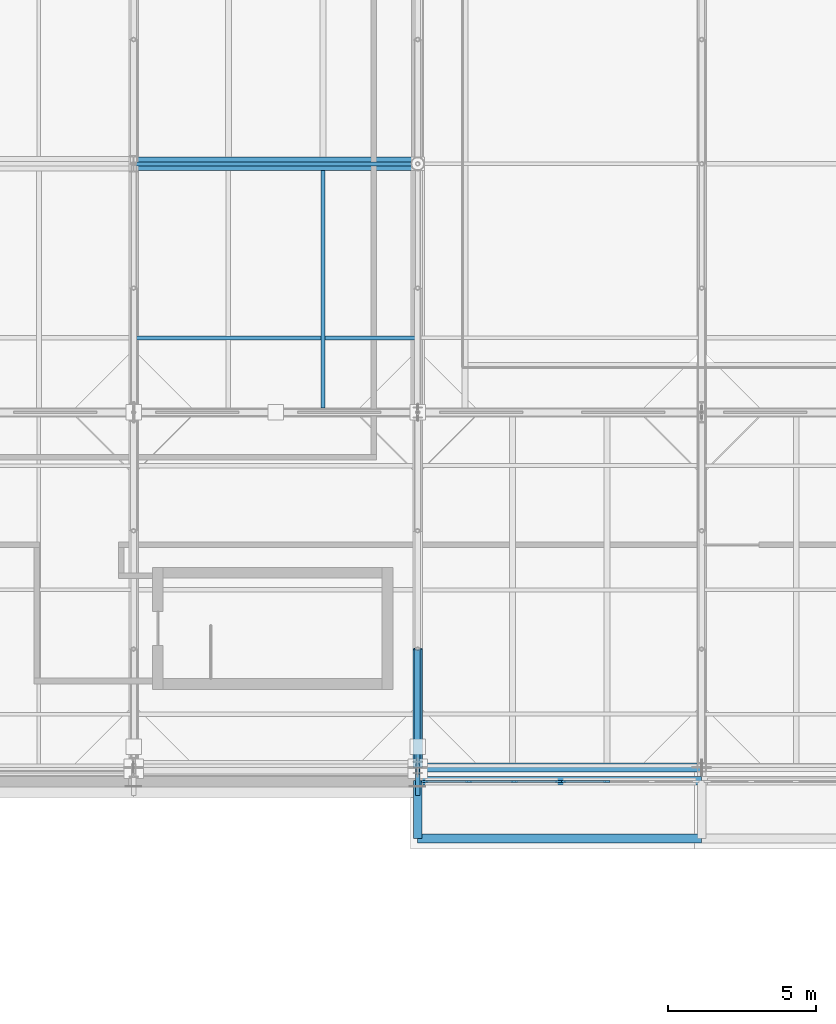
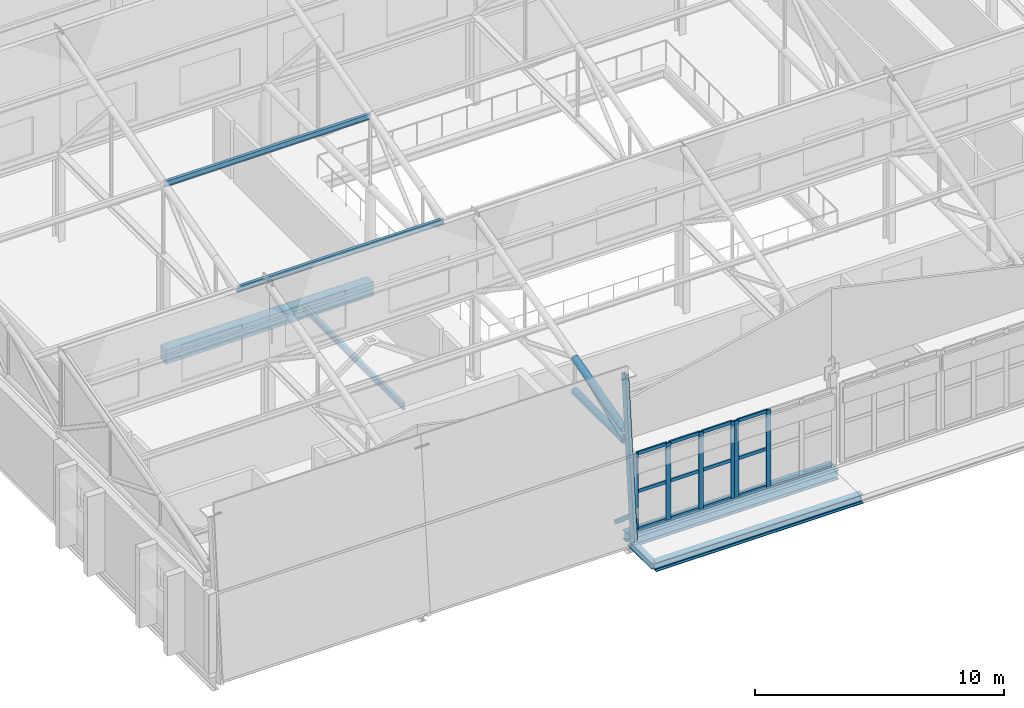
# One storey, part 20 of 89: 25 members, 6 beams, 2 elements without a shape of their own.
"""IFC4 building model written with IfcOpenShell, lengths in metres."""

from ifc_helpers import new_model, si_unit, direction, frame, origin, origin_2d, place, context, subcontext, project, spatial, rectangle, hollow_rectangle, hollow_circle, i_section, extrude, material, layer, layer_set, material_profile, profile_set, type_object, element, aggregate, save


model = new_model("IFC4")

# Units and contexts
model_context = context("Model", 3, precision=1e-05, world=origin(), true_north=direction((0.0, 1.0)))
body_context = subcontext(model_context, "Body", "Model", "MODEL_VIEW")
ifc_project = project(units=[si_unit("LENGTHUNIT", "METRE"), si_unit("AREAUNIT", "SQUARE_METRE"), si_unit("VOLUMEUNIT", "CUBIC_METRE"), si_unit("PLANEANGLEUNIT", "RADIAN"), si_unit("MASSUNIT", "GRAM", prefix="KILO")], contexts=[model_context])

# Site, building, storey
site_placement = place(None, origin())
site = spatial("IfcSite", under=ifc_project, at=site_placement, CompositionType="ELEMENT")
building_placement = place(site_placement, origin())
building = spatial("IfcBuilding", under=site, at=building_placement, Name="Zereglee Splitstone Museum", CompositionType="ELEMENT")
storey_placement = place(building_placement, frame((0.0, 0.0, 21.300048828125)))
storey = spatial("IfcBuildingStorey", under=building, at=storey_placement, Name="L04", CompositionType="ELEMENT", Elevation=21.300048828125)

# Beam
ifc_material_1 = material(Name="Concrete C40/50", Category="concrete")
ifc_material_profile_1 = material_profile(ifc_material_1, rectangle(XDim=0.449951171875, YDim=0.699951171875, at=origin_2d()), Name="RC 450x700")
ifc_profile_set_1 = profile_set([ifc_material_profile_1], Name="Concrete C40/50")
beam_type_1 = type_object("IfcBeamType", Name="BG-03", PredefinedType="BEAM", material=ifc_profile_set_1)
beam_1_placement = place(storey_placement, frame((87.60009765625, 30.0, -0.610107421875), z_axis=(1.0, 0.0, 0.0), x_axis=(0.0, 1.0, 0.0)))
element("IfcBeam", 1, at=beam_1_placement, inside=storey, type_object=beam_type_1, Name="Primary Girder L04 D (87.6-97.2)", PredefinedType="BEAM", context=body_context, shape_type="SweptSolid", body=[
    extrude(rectangle(XDim=0.449951171875, YDim=0.699951171875, at=origin_2d()), origin(), (0.0, 0.0, 1.0), 9.599853515625),
])

# Member
ifc_material_2 = material(Name="Steel S355J2H", Category="steel")
ifc_material_profile_2 = material_profile(ifc_material_2, hollow_circle(Radius=0.109619140625, WallThickness=0.010009765625, at=origin_2d()), Name="CHS 219.1x10")
ifc_profile_set_2 = profile_set([ifc_material_profile_2], Name="Steel S355J2H")
member_type_1 = type_object("IfcMemberType", Name="TB-03", PredefinedType="BRACE", material=ifc_profile_set_2)
member_1_placement = place(storey_placement, frame((97.199951171875, 9.60009765625, 4.199951171875), z_axis=(0.0, 0.927136001435, 0.374725012299), x_axis=(-1.0, 0.0, 0.0)))
element("IfcMember", 2, at=member_1_placement, inside=storey, type_object=member_type_1, Name="Roof Truss ST-03 Diagonal 1.1", PredefinedType="BRACE", context=body_context, shape_type="SweptSolid", body=[
    extrude(hollow_circle(Radius=0.109619140625, WallThickness=0.010009765625, at=origin_2d()), origin(), (0.0, 0.0, 1.0), 4.314453125),
])

# Curtain wall, members
ifc_material_3 = material(Name="Triple-glazed low-E argon glass and bronze-anodised aluminium", Category="aluminium")
ifc_layer_1 = layer(ifc_material_3, 0.219970703125)
ifc_layer_set_1 = layer_set([ifc_layer_1], Name="Triple-glazed low-E argon glass and bronze-anodised aluminium")
curtain_wall_type_1 = type_object("IfcCurtainWallType", Name="CW-0458-378", PredefinedType="USERDEFINED", material=ifc_layer_set_1)
curtain_wall_1_placement = place(storey_placement, origin())
curtain_wall_1 = element("IfcCurtainWall", 3, at=curtain_wall_1_placement, inside=storey, type_object=curtain_wall_type_1, Name="Glazed Curtain Wall CW-0458-378 (L04)", ObjectType="GLAZED CURTAIN WALL", PredefinedType="USERDEFINED")
ifc_material_4 = material(Name="Thermally broken bronze-anodised aluminium", Category="aluminium")
ifc_material_profile_3 = material_profile(ifc_material_4, rectangle(XDim=0.074951171875, YDim=0.219970703125, at=origin_2d()), Name="CW MULL 75x220")
ifc_profile_set_3 = profile_set([ifc_material_profile_3], Name="Thermally broken bronze-anodised aluminium")
member_type_2 = type_object("IfcMemberType", Name="CWM-02", PredefinedType="MULLION", material=ifc_profile_set_3)
member_2_placement = place(storey_placement, frame((97.445556640625, 9.1201171875, 0.0), z_axis=(0.0, 0.0, 1.0), x_axis=(0.0, 1.0, 0.0)))
member_2 = element("IfcMember", 4, at=member_2_placement, type_object=member_type_2, Name="CW-0458-378 mullion 1", PredefinedType="MULLION", context=body_context, shape_type="SweptSolid", body=[
    extrude(rectangle(XDim=0.074951171875, YDim=0.219970703125, at=origin_2d()), origin(), (0.0, 0.0, 1.0), 3.780029296875),
])
member_3_placement = place(storey_placement, frame((98.93359375, 9.1201171875, 0.0), z_axis=(0.0, 0.0, 1.0), x_axis=(0.0, 1.0, 0.0)))
member_3 = element("IfcMember", 5, at=member_3_placement, type_object=member_type_2, Name="CW-0458-378 mullion 2", PredefinedType="MULLION", context=body_context, shape_type="SweptSolid", body=[
    extrude(rectangle(XDim=0.074951171875, YDim=0.219970703125, at=origin_2d()), origin(), (0.0, 0.0, 1.0), 3.780029296875),
])
member_4_placement = place(storey_placement, frame((100.459228515625, 9.1201171875, 0.0), z_axis=(0.0, 0.0, 1.0), x_axis=(0.0, 1.0, 0.0)))
member_4 = element("IfcMember", 6, at=member_4_placement, type_object=member_type_2, Name="CW-0458-378 mullion 3", PredefinedType="MULLION", context=body_context, shape_type="SweptSolid", body=[
    extrude(rectangle(XDim=0.074951171875, YDim=0.219970703125, at=origin_2d()), origin(), (0.0, 0.0, 1.0), 3.780029296875),
])
member_5_placement = place(storey_placement, frame((101.947509765625, 9.1201171875, 0.0), z_axis=(0.0, 0.0, 1.0), x_axis=(0.0, 1.0, 0.0)))
member_5 = element("IfcMember", 7, at=member_5_placement, type_object=member_type_2, Name="CW-0458-378 mullion 4", PredefinedType="MULLION", context=body_context, shape_type="SweptSolid", body=[
    extrude(rectangle(XDim=0.074951171875, YDim=0.219970703125, at=origin_2d()), origin(), (0.0, 0.0, 1.0), 3.780029296875),
])

ifc_layer_2 = layer(ifc_material_3, 0.219970703125)
ifc_layer_set_2 = layer_set([ifc_layer_2], Name="Triple-glazed low-E argon glass and bronze-anodised aluminium")
curtain_wall_type_2 = type_object("IfcCurtainWallType", Name="CW-0458-376", PredefinedType="USERDEFINED", material=ifc_layer_set_2)
curtain_wall_2_placement = place(storey_placement, origin())
curtain_wall_2 = element("IfcCurtainWall", 8, at=curtain_wall_2_placement, inside=storey, type_object=curtain_wall_type_2, Name="Glazed Curtain Wall CW-0458-376 (L04)", ObjectType="GLAZED CURTAIN WALL", PredefinedType="USERDEFINED")
member_6_placement = place(storey_placement, frame((102.1025390625, 9.1201171875, 0.0), z_axis=(0.0, 0.0, 1.0), x_axis=(0.0, 1.0, 0.0)))
member_6 = element("IfcMember", 9, at=member_6_placement, type_object=member_type_2, Name="CW-0458-376 mullion 1", PredefinedType="MULLION", context=body_context, shape_type="SweptSolid", body=[
    extrude(rectangle(XDim=0.074951171875, YDim=0.219970703125, at=origin_2d()), origin(), (0.0, 0.0, 1.0), 3.760009765625),
])
member_7_placement = place(storey_placement, frame((103.590576171875, 9.1201171875, 0.0), z_axis=(0.0, 0.0, 1.0), x_axis=(0.0, 1.0, 0.0)))
member_7 = element("IfcMember", 10, at=member_7_placement, type_object=member_type_2, Name="CW-0458-376 mullion 2", PredefinedType="MULLION", context=body_context, shape_type="SweptSolid", body=[
    extrude(rectangle(XDim=0.074951171875, YDim=0.219970703125, at=origin_2d()), origin(), (0.0, 0.0, 1.0), 3.760009765625),
])

# Member
ifc_material_profile_4 = material_profile(ifc_material_4, rectangle(XDim=0.074951171875, YDim=0.1650390625, at=origin_2d()), Name="CW TRAN 75x165")
ifc_profile_set_4 = profile_set([ifc_material_profile_4], Name="Thermally broken bronze-anodised aluminium")
member_type_3 = type_object("IfcMemberType", Name="CWT-02", PredefinedType="USERDEFINED", material=ifc_profile_set_4)
member_8_placement = place(storey_placement, frame((97.48291015625, 9.1201171875, 0.037353515625), z_axis=(1.0, 0.0, 0.0), x_axis=(0.0, 1.0, 0.0)))
member_8 = element("IfcMember", 11, at=member_8_placement, type_object=member_type_3, Name="CW-0458-378 transom 1.1", ObjectType="TRANSOM", PredefinedType="USERDEFINED", context=body_context, shape_type="SweptSolid", body=[
    extrude(rectangle(XDim=0.074951171875, YDim=0.1650390625, at=origin_2d()), origin(), (0.0, 0.0, 1.0), 1.413330078125),
])

member_9_placement = place(storey_placement, frame((97.48291015625, 9.1201171875, 1.889892578125), z_axis=(1.0, 0.0, 0.0), x_axis=(0.0, 1.0, 0.0)))
member_9 = element("IfcMember", 12, at=member_9_placement, type_object=member_type_3, Name="CW-0458-378 transom 1.2", ObjectType="TRANSOM", PredefinedType="USERDEFINED", context=body_context, shape_type="SweptSolid", body=[
    extrude(rectangle(XDim=0.074951171875, YDim=0.1650390625, at=origin_2d()), origin(), (0.0, 0.0, 1.0), 1.413330078125),
])

member_10_placement = place(storey_placement, frame((97.48291015625, 9.1201171875, 3.742431640625), z_axis=(1.0, 0.0, 0.0), x_axis=(0.0, 1.0, 0.0)))
member_10 = element("IfcMember", 13, at=member_10_placement, type_object=member_type_3, Name="CW-0458-378 transom 1.3", ObjectType="TRANSOM", PredefinedType="USERDEFINED", context=body_context, shape_type="SweptSolid", body=[
    extrude(rectangle(XDim=0.074951171875, YDim=0.1650390625, at=origin_2d()), origin(), (0.0, 0.0, 1.0), 1.413330078125),
])

member_11_placement = place(storey_placement, frame((98.97119140625, 9.1201171875, 0.037353515625), z_axis=(1.0, 0.0, 0.0), x_axis=(0.0, 1.0, 0.0)))
member_11 = element("IfcMember", 14, at=member_11_placement, type_object=member_type_3, Name="CW-0458-378 transom 2.1", ObjectType="TRANSOM", PredefinedType="USERDEFINED", context=body_context, shape_type="SweptSolid", body=[
    extrude(rectangle(XDim=0.074951171875, YDim=0.1650390625, at=origin_2d()), origin(), (0.0, 0.0, 1.0), 1.45068359375),
])

member_12_placement = place(storey_placement, frame((98.97119140625, 9.1201171875, 1.889892578125), z_axis=(1.0, 0.0, 0.0), x_axis=(0.0, 1.0, 0.0)))
member_12 = element("IfcMember", 15, at=member_12_placement, type_object=member_type_3, Name="CW-0458-378 transom 2.2", ObjectType="TRANSOM", PredefinedType="USERDEFINED", context=body_context, shape_type="SweptSolid", body=[
    extrude(rectangle(XDim=0.074951171875, YDim=0.1650390625, at=origin_2d()), origin(), (0.0, 0.0, 1.0), 1.45068359375),
])

member_13_placement = place(storey_placement, frame((98.97119140625, 9.1201171875, 3.742431640625), z_axis=(1.0, 0.0, 0.0), x_axis=(0.0, 1.0, 0.0)))
member_13 = element("IfcMember", 16, at=member_13_placement, type_object=member_type_3, Name="CW-0458-378 transom 2.3", ObjectType="TRANSOM", PredefinedType="USERDEFINED", context=body_context, shape_type="SweptSolid", body=[
    extrude(rectangle(XDim=0.074951171875, YDim=0.1650390625, at=origin_2d()), origin(), (0.0, 0.0, 1.0), 1.45068359375),
])

member_14_placement = place(storey_placement, frame((100.496826171875, 9.1201171875, 0.037353515625), z_axis=(1.0, 0.0, 0.0), x_axis=(0.0, 1.0, 0.0)))
member_14 = element("IfcMember", 17, at=member_14_placement, type_object=member_type_3, Name="CW-0458-378 transom 3.1", ObjectType="TRANSOM", PredefinedType="USERDEFINED", context=body_context, shape_type="SweptSolid", body=[
    extrude(rectangle(XDim=0.074951171875, YDim=0.1650390625, at=origin_2d()), origin(), (0.0, 0.0, 1.0), 1.4130859375),
])

member_15_placement = place(storey_placement, frame((100.496826171875, 9.1201171875, 1.889892578125), z_axis=(1.0, 0.0, 0.0), x_axis=(0.0, 1.0, 0.0)))
member_15 = element("IfcMember", 18, at=member_15_placement, type_object=member_type_3, Name="CW-0458-378 transom 3.2", ObjectType="TRANSOM", PredefinedType="USERDEFINED", context=body_context, shape_type="SweptSolid", body=[
    extrude(rectangle(XDim=0.074951171875, YDim=0.1650390625, at=origin_2d()), origin(), (0.0, 0.0, 1.0), 1.4130859375),
])

member_16_placement = place(storey_placement, frame((100.496826171875, 9.1201171875, 3.742431640625), z_axis=(1.0, 0.0, 0.0), x_axis=(0.0, 1.0, 0.0)))
member_16 = element("IfcMember", 19, at=member_16_placement, type_object=member_type_3, Name="CW-0458-378 transom 3.3", ObjectType="TRANSOM", PredefinedType="USERDEFINED", context=body_context, shape_type="SweptSolid", body=[
    extrude(rectangle(XDim=0.074951171875, YDim=0.1650390625, at=origin_2d()), origin(), (0.0, 0.0, 1.0), 1.4130859375),
])

aggregate(curtain_wall_1, [member_2, member_3, member_4, member_5, member_8, member_9, member_10, member_11, member_12, member_13, member_14, member_15, member_16])

member_17_placement = place(storey_placement, frame((102.139892578125, 9.1201171875, 0.037353515625), z_axis=(1.0, 0.0, 0.0), x_axis=(0.0, 1.0, 0.0)))
member_17 = element("IfcMember", 20, at=member_17_placement, type_object=member_type_3, Name="CW-0458-376 transom 1.1", ObjectType="TRANSOM", PredefinedType="USERDEFINED", context=body_context, shape_type="SweptSolid", body=[
    extrude(rectangle(XDim=0.074951171875, YDim=0.1650390625, at=origin_2d()), origin(), (0.0, 0.0, 1.0), 1.413330078125),
])

member_18_placement = place(storey_placement, frame((102.139892578125, 9.1201171875, 1.8798828125), z_axis=(1.0, 0.0, 0.0), x_axis=(0.0, 1.0, 0.0)))
member_18 = element("IfcMember", 21, at=member_18_placement, type_object=member_type_3, Name="CW-0458-376 transom 1.2", ObjectType="TRANSOM", PredefinedType="USERDEFINED", context=body_context, shape_type="SweptSolid", body=[
    extrude(rectangle(XDim=0.074951171875, YDim=0.1650390625, at=origin_2d()), origin(), (0.0, 0.0, 1.0), 1.413330078125),
])

member_19_placement = place(storey_placement, frame((102.139892578125, 9.1201171875, 3.722412109375), z_axis=(1.0, 0.0, 0.0), x_axis=(0.0, 1.0, 0.0)))
member_19 = element("IfcMember", 22, at=member_19_placement, type_object=member_type_3, Name="CW-0458-376 transom 1.3", ObjectType="TRANSOM", PredefinedType="USERDEFINED", context=body_context, shape_type="SweptSolid", body=[
    extrude(rectangle(XDim=0.074951171875, YDim=0.1650390625, at=origin_2d()), origin(), (0.0, 0.0, 1.0), 1.413330078125),
])

aggregate(curtain_wall_2, [member_6, member_7, member_17, member_18, member_19])

# Members
ifc_material_profile_5 = material_profile(ifc_material_2, hollow_circle(Radius=0.161865234375, WallThickness=0.01611328125, at=origin_2d()), Name="CHS 323.9x16")
ifc_profile_set_5 = profile_set([ifc_material_profile_5], Name="Steel S355J2H")
member_type_4 = type_object("IfcMemberType", Name="TC-05", PredefinedType="CHORD", material=ifc_profile_set_5)
member_20_placement = place(storey_placement, frame((97.199951171875, 9.60009765625, 4.199951171875), z_axis=(0.0, 1.0, 0.0), x_axis=(-1.0, 0.0, 0.0)))
element("IfcMember", 23, at=member_20_placement, inside=storey, type_object=member_type_4, Name="Roof Truss ST-03 Bottom Chord 1.1", PredefinedType="CHORD", context=body_context, shape_type="SweptSolid", body=[
    extrude(hollow_circle(Radius=0.161865234375, WallThickness=0.01611328125, at=origin_2d()), origin(), (0.0, 0.0, 1.0), 4.0),
])
member_21_placement = place(storey_placement, frame((97.199951171875, 9.60009765625, 4.75), z_axis=(0.0, 0.966235918422, 0.257658979955), x_axis=(-1.0, 0.0, 0.0)))
element("IfcMember", 24, at=member_21_placement, inside=storey, type_object=member_type_4, Name="Roof Truss ST-03 Top Chord 1.1", PredefinedType="CHORD", context=body_context, shape_type="SweptSolid", body=[
    extrude(hollow_circle(Radius=0.161865234375, WallThickness=0.01611328125, at=origin_2d()), origin(), (0.0, 0.0, 1.0), 4.139892578125),
])

# Beam
ifc_material_5 = material(Name="Steel S355J2", Category="steel")
ifc_material_profile_6 = material_profile(ifc_material_5, i_section(OverallWidth=0.14990234375, OverallDepth=0.300048828125, WebThickness=0.007080078125, FlangeThickness=0.0107421875, FilletRadius=0.014892578125, at=origin_2d()), Name="IPE 300")
ifc_profile_set_6 = profile_set([ifc_material_profile_6], Name="Steel S355J2")
beam_type_2 = type_object("IfcBeamType", Name="BJ-06", PredefinedType="JOIST", material=ifc_profile_set_6)
beam_2_placement = place(storey_placement, frame((94.0, 21.75, -0.41015625), z_axis=(0.0, 1.0, 0.0), x_axis=(-1.0, 0.0, 0.0)))
element("IfcBeam", 25, at=beam_2_placement, inside=storey, type_object=beam_type_2, Name="Secondary Floor Joist L04-1531", PredefinedType="JOIST", context=body_context, shape_type="SweptSolid", body=[
    extrude(i_section(OverallWidth=0.14990234375, OverallDepth=0.300048828125, WebThickness=0.007080078125, FlangeThickness=0.0107421875, FilletRadius=0.014892578125, at=origin_2d()), origin(), (0.0, 0.0, 1.0), 8.02490234375),
])

# Members
ifc_material_profile_7 = material_profile(ifc_material_5, i_section(OverallWidth=0.135009765625, OverallDepth=0.27001953125, WebThickness=0.006591796875, FlangeThickness=0.01025390625, FilletRadius=0.014892578125, at=origin_2d()), Name="IPE 270")
ifc_profile_set_7 = profile_set([ifc_material_profile_7], Name="Steel S355J2")
member_type_5 = type_object("IfcMemberType", Name="PR-02", PredefinedType="PURLIN", material=ifc_profile_set_7)
for number, where, z_axis, x_axis, name in (
    (26, (87.60009765625, 24.1201171875, 6.16357421875), (1.0, 0.0, 0.0), (0.0, 1.0, 0.0), "Sawtooth Roof Purlin B2-S2-1"),
    (27, (87.60009765625, 30.0, 7.738525390625), (1.0, 0.0, 0.0), (0.0, 1.0, 0.0), "Sawtooth Roof Purlin B2-S2-2"),
):
    element("IfcMember", number, at=place(storey_placement, frame(where, z_axis=z_axis, x_axis=x_axis)), inside=storey, type_object=member_type_5, Name=name, PredefinedType="PURLIN", context=body_context, shape_type="SweptSolid", body=[
        extrude(i_section(OverallWidth=0.135009765625, OverallDepth=0.27001953125, WebThickness=0.006591796875, FlangeThickness=0.01025390625, FilletRadius=0.014892578125, at=origin_2d()), origin(), (0.0, 0.0, 1.0), 9.599853515625),
    ])

# Beams
ifc_material_profile_8 = material_profile(ifc_material_5, i_section(OverallWidth=0.280029296875, OverallDepth=0.280029296875, WebThickness=0.010498046875, FlangeThickness=0.01806640625, FilletRadius=0.02392578125, at=origin_2d()), Name="HE 280 B")
ifc_profile_set_8 = profile_set([ifc_material_profile_8], Name="Steel S355J2")
beam_type_3 = type_object("IfcBeamType", Name="SP-03", PredefinedType="SPANDREL", material=ifc_profile_set_8)
beam_3_placement = place(storey_placement, frame((97.199951171875, 7.199951171875, -0.485107421875), z_axis=(0.0, 1.0, 0.0), x_axis=(-1.0, 0.0, 0.0)))
element("IfcBeam", 28, at=beam_3_placement, inside=storey, type_object=beam_type_3, Name="Pishtaq Return Tie Beam PSQ-ATRS-1 (97.2)", PredefinedType="SPANDREL", context=body_context, shape_type="SweptSolid", body=[
    extrude(i_section(OverallWidth=0.280029296875, OverallDepth=0.280029296875, WebThickness=0.010498046875, FlangeThickness=0.01806640625, FilletRadius=0.02392578125, at=origin_2d()), origin(), (0.0, 0.0, 1.0), 1.949951171875),
])
ifc_material_profile_9 = material_profile(ifc_material_5, i_section(OverallWidth=0.300048828125, OverallDepth=0.449951171875, WebThickness=0.013916015625, FlangeThickness=0.02587890625, FilletRadius=0.027099609375, at=origin_2d()), Name="HE 450 B")
ifc_profile_set_9 = profile_set([ifc_material_profile_9], Name="Steel S355J2")
beam_type_4 = type_object("IfcBeamType", Name="SP-02", PredefinedType="SPANDREL", material=ifc_profile_set_9)
for number, where, z_axis, x_axis, name in (
    (29, (97.199951171875, 9.60009765625, -0.485107421875), (1.0, 0.0, 0.0), (0.0, 1.0, 0.0), "Primary Girder L04 B (97.2-106.8)"),
    (30, (97.199951171875, 9.14990234375, -0.485107421875), (1.0, 0.0, 0.0), (0.0, 1.0, 0.0), "Hovering Soffit Spandrel L04 (97.2-106.8)"),
    (31, (97.199951171875, 7.199951171875, -0.485107421875), (1.0, 0.0, 0.0), (0.0, 1.0, 0.0), "Mughal Pishtaq Cornice Header Beam PSQ-ATRS-1"),
):
    element("IfcBeam", number, at=place(storey_placement, frame(where, z_axis=z_axis, x_axis=x_axis)), inside=storey, type_object=beam_type_4, Name=name, PredefinedType="SPANDREL", context=body_context, shape_type="SweptSolid", body=[
        extrude(i_section(OverallWidth=0.300048828125, OverallDepth=0.449951171875, WebThickness=0.013916015625, FlangeThickness=0.02587890625, FilletRadius=0.027099609375, at=origin_2d()), origin(), (0.0, 0.0, 1.0), 9.60009765625),
    ])

# Members
ifc_material_profile_10 = material_profile(ifc_material_2, hollow_rectangle(XDim=0.14990234375, YDim=0.35009765625, WallThickness=0.012451171875, at=origin_2d()), Name="RHS 350x150x12.5")
ifc_profile_set_10 = profile_set([ifc_material_profile_10], Name="Steel S355J2H")
member_type_6 = type_object("IfcMemberType", Name="FS-R0", PredefinedType="STRUT", material=ifc_profile_set_10)
member_22_placement = place(storey_placement, frame((97.199951171875, 8.8232421875, -0.510009765625), z_axis=(0.0, 0.090892411904, 0.995860717901), x_axis=(-1.0, 0.0, 0.0)))
element("IfcMember", 32, at=member_22_placement, inside=storey, type_object=member_type_6, Name="Split-Rock Continuous Facet Strut FH-V2SW L04-03", PredefinedType="STRUT", context=body_context, shape_type="SweptSolid", body=[
    extrude(hollow_rectangle(XDim=0.14990234375, YDim=0.35009765625, WallThickness=0.012451171875, at=origin_2d()), origin(), (0.0, 0.0, 1.0), 8.023193359375),
])
ifc_material_profile_11 = material_profile(ifc_material_2, hollow_rectangle(XDim=0.1201171875, YDim=0.199951171875, WallThickness=0.008056640625, at=origin_2d()), Name="RHS 200x120x8")
ifc_profile_set_11 = profile_set([ifc_material_profile_11], Name="Steel S355J2H")
member_type_7 = type_object("IfcMemberType", Name="FS-T1", PredefinedType="STRUT", material=ifc_profile_set_11)
member_23_placement = place(storey_placement, frame((97.199951171875, 10.300048828125, -0.219970703125), z_axis=(0.0, -0.757166062891, 0.65322243777), x_axis=(1.0, 0.0, 0.0)))
element("IfcMember", 33, at=member_23_placement, inside=storey, type_object=member_type_7, Name="Facet Tie-Back Strut FH-V2SW L04-03", PredefinedType="STRUT", context=body_context, shape_type="SweptSolid", body=[
    extrude(hollow_rectangle(XDim=0.1201171875, YDim=0.199951171875, WallThickness=0.008056640625, at=origin_2d()), origin(), (0.0, 0.0, 1.0), 1.775634765625),
])

save(model, "model.ifc")
